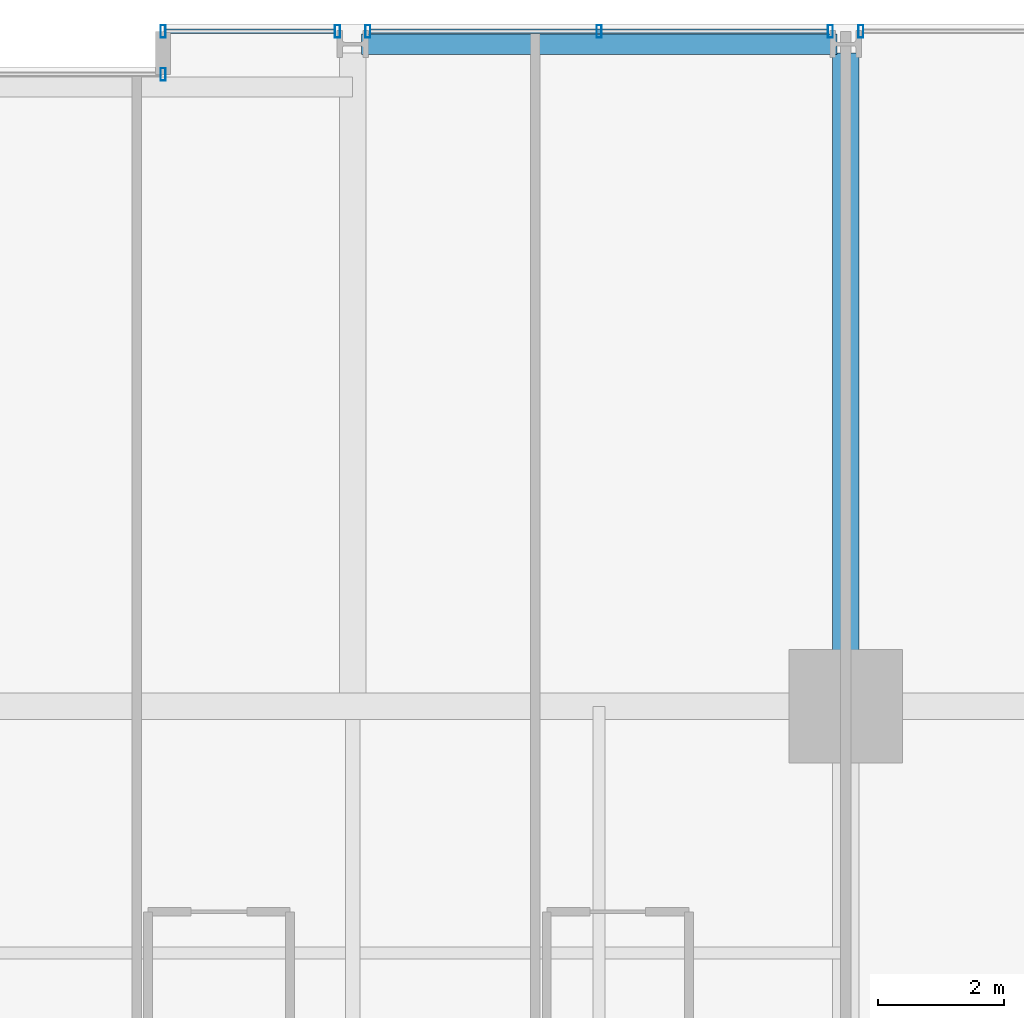
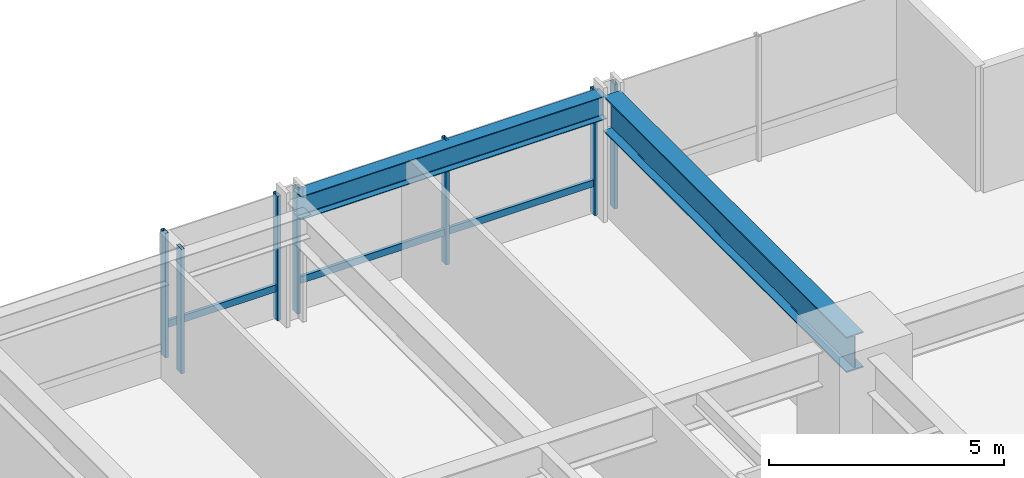
# One storey, part 27 of 39: 9 members, 2 beams, 4 elements without a shape of their own.
"""IFC4 building model written with IfcOpenShell, lengths in metres."""

from ifc_helpers import new_model, si_unit, direction, frame, origin, origin_2d, place, context, subcontext, project, spatial, hollow_rectangle, i_section, extrude, material, layer, layer_set, material_profile, profile_set, type_object, element, aggregate, save


model = new_model("IFC4")

# Units and contexts
model_context = context("Model", 3, precision=1e-05, world=origin(), true_north=direction((0.0, 1.0)))
body_context = subcontext(model_context, "Body", "Model", "MODEL_VIEW")
ifc_project = project(units=[si_unit("LENGTHUNIT", "METRE"), si_unit("AREAUNIT", "SQUARE_METRE"), si_unit("VOLUMEUNIT", "CUBIC_METRE"), si_unit("PLANEANGLEUNIT", "RADIAN"), si_unit("MASSUNIT", "GRAM", prefix="KILO")], contexts=[model_context])

# Site, building, storey
site_placement = place(None, origin())
site = spatial("IfcSite", under=ifc_project, at=site_placement, CompositionType="ELEMENT")
building_placement = place(site_placement, origin())
building = spatial("IfcBuilding", under=site, at=building_placement, Name="Drelvath Grand Hotel", CompositionType="ELEMENT")
storey_placement = place(building_placement, frame((0.0, 0.0, 40.199951171875)))
storey = spatial("IfcBuildingStorey", under=building, at=storey_placement, Name="L08", CompositionType="ELEMENT", Elevation=40.199951171875)

# Curtain wall, member
ifc_material_1 = material(Name="Warm Bronze Anodised Aluminium Frame", Category="aluminium")
ifc_layer = layer(ifc_material_1, 0.199951171875)
ifc_layer_set = layer_set([ifc_layer], Name="Warm Bronze Anodised Aluminium Frame")
curtain_wall_type = type_object("IfcCurtainWallType", Name="Stick Curtain Wall CW-02 Warm Bronze Low-Rise", PredefinedType="NOTDEFINED", material=ifc_layer_set)
curtain_wall_1_placement = place(storey_placement, origin())
curtain_wall_1 = element("IfcCurtainWall", 1, at=curtain_wall_1_placement, inside=storey, type_object=curtain_wall_type, Name="L08 CW-02 Curtain Wall CW02-L08-NE1", PredefinedType="NOTDEFINED")
ifc_material_profile_1 = material_profile(ifc_material_1, hollow_rectangle(XDim=0.074951171875, YDim=0.179931640625, WallThickness=0.0048828125, at=origin_2d()), Name="HSS180X75X5")
ifc_profile_set_1 = profile_set([ifc_material_profile_1], Name="Warm Bronze Anodised Aluminium Frame")
member_type_1 = type_object("IfcMemberType", Name="Curtain Wall Horizontal Transom CW-02 HSS180X75X5", PredefinedType="USERDEFINED", material=ifc_profile_set_1)
member_1_placement = place(storey_placement, frame((5.43994140625, 53.8798828125, 0.81005859375), z_axis=(1.0, 0.0, 0.0), x_axis=(0.0, 1.0, 0.0)))
member_1 = element("IfcMember", 2, at=member_1_placement, type_object=member_type_1, Name="CW02-L08-NE1 Sill Transom", ObjectType="TRANSOM", PredefinedType="USERDEFINED", context=body_context, shape_type="SweptSolid", body=[
    extrude(hollow_rectangle(XDim=0.074951171875, YDim=0.179931640625, WallThickness=0.0048828125, at=origin_2d()), origin(), (0.0, 0.0, 1.0), 2.67919921875),
])

curtain_wall_2_placement = place(storey_placement, origin())
curtain_wall_2 = element("IfcCurtainWall", 3, at=curtain_wall_2_placement, inside=storey, type_object=curtain_wall_type, Name="L08 CW-02 Curtain Wall CW02-L08-NE2", PredefinedType="NOTDEFINED")
member_2_placement = place(storey_placement, frame((8.680908203125, 53.8798828125, 0.81005859375), z_axis=(1.0, 0.0, 0.0), x_axis=(0.0, 1.0, 0.0)))
member_2 = element("IfcMember", 4, at=member_2_placement, type_object=member_type_1, Name="CW02-L08-NE2 Sill Transom", ObjectType="TRANSOM", PredefinedType="USERDEFINED", context=body_context, shape_type="SweptSolid", body=[
    extrude(hollow_rectangle(XDim=0.074951171875, YDim=0.179931640625, WallThickness=0.0048828125, at=origin_2d()), origin(), (0.0, 0.0, 1.0), 7.23828125),
])

curtain_wall_3_placement = place(storey_placement, origin())
curtain_wall_3 = element("IfcCurtainWall", 5, at=curtain_wall_3_placement, inside=storey, type_object=curtain_wall_type, Name="L08 CW-02 Curtain Wall CW02-L08-NM2", PredefinedType="NOTDEFINED")
ifc_material_profile_2 = material_profile(ifc_material_1, hollow_rectangle(XDim=0.080078125, YDim=0.199951171875, WallThickness=0.0048828125, at=origin_2d()), Name="HSS200X80X5")
ifc_profile_set_2 = profile_set([ifc_material_profile_2], Name="Warm Bronze Anodised Aluminium Frame")
member_type_2 = type_object("IfcMemberType", Name="Curtain Wall Vertical Mullion CW-02 HSS200X80X5", PredefinedType="MULLION", material=ifc_profile_set_2)
member_3_placement = place(storey_placement, frame((5.39990234375, 53.199951171875, 0.0), z_axis=(0.0, 0.0, 1.0), x_axis=(1.0, 0.0, 0.0)))
member_3 = element("IfcMember", 6, at=member_3_placement, type_object=member_type_2, Name="CW02-L08-NM2 Mullion 2", PredefinedType="MULLION", context=body_context, shape_type="SweptSolid", body=[
    extrude(hollow_rectangle(XDim=0.080078125, YDim=0.199951171875, WallThickness=0.0048828125, at=origin_2d()), origin(), (0.0, 0.0, 1.0), 3.239990234375),
])
aggregate(curtain_wall_3, [member_3])

# Member
member_4_placement = place(storey_placement, frame((5.39990234375, 53.8798828125, 0.0), z_axis=(0.0, 0.0, 1.0), x_axis=(1.0, 0.0, 0.0)))
member_4 = element("IfcMember", 7, at=member_4_placement, type_object=member_type_2, Name="CW02-L08-NE1 Mullion 1", PredefinedType="MULLION", context=body_context, shape_type="SweptSolid", body=[
    extrude(hollow_rectangle(XDim=0.080078125, YDim=0.199951171875, WallThickness=0.0048828125, at=origin_2d()), origin(), (0.0, 0.0, 1.0), 3.239990234375),
])

member_5_placement = place(storey_placement, frame((8.1591796875, 53.8798828125, 0.0), z_axis=(0.0, 0.0, 1.0), x_axis=(1.0, 0.0, 0.0)))
member_5 = element("IfcMember", 8, at=member_5_placement, type_object=member_type_2, Name="CW02-L08-NE1 Mullion 2", PredefinedType="MULLION", context=body_context, shape_type="SweptSolid", body=[
    extrude(hollow_rectangle(XDim=0.080078125, YDim=0.199951171875, WallThickness=0.0048828125, at=origin_2d()), origin(), (0.0, 0.0, 1.0), 3.239990234375),
])

aggregate(curtain_wall_1, [member_4, member_5, member_1])

member_6_placement = place(storey_placement, frame((8.640869140625, 53.8798828125, 0.0), z_axis=(0.0, 0.0, 1.0), x_axis=(1.0, 0.0, 0.0)))
member_6 = element("IfcMember", 9, at=member_6_placement, type_object=member_type_2, Name="CW02-L08-NE2 Mullion 1", PredefinedType="MULLION", context=body_context, shape_type="SweptSolid", body=[
    extrude(hollow_rectangle(XDim=0.080078125, YDim=0.199951171875, WallThickness=0.0048828125, at=origin_2d()), origin(), (0.0, 0.0, 1.0), 3.239990234375),
])

member_7_placement = place(storey_placement, frame((12.300048828125, 53.8798828125, 0.0), z_axis=(0.0, 0.0, 1.0), x_axis=(1.0, 0.0, 0.0)))
member_7 = element("IfcMember", 10, at=member_7_placement, type_object=member_type_2, Name="CW02-L08-NE2 Mullion 2", PredefinedType="MULLION", context=body_context, shape_type="SweptSolid", body=[
    extrude(hollow_rectangle(XDim=0.080078125, YDim=0.199951171875, WallThickness=0.0048828125, at=origin_2d()), origin(), (0.0, 0.0, 1.0), 3.239990234375),
])

member_8_placement = place(storey_placement, frame((15.958984375, 53.8798828125, 0.0), z_axis=(0.0, 0.0, 1.0), x_axis=(1.0, 0.0, 0.0)))
member_8 = element("IfcMember", 11, at=member_8_placement, type_object=member_type_2, Name="CW02-L08-NE2 Mullion 3", PredefinedType="MULLION", context=body_context, shape_type="SweptSolid", body=[
    extrude(hollow_rectangle(XDim=0.080078125, YDim=0.199951171875, WallThickness=0.0048828125, at=origin_2d()), origin(), (0.0, 0.0, 1.0), 3.239990234375),
])

aggregate(curtain_wall_2, [member_6, member_7, member_8, member_2])

# Curtain wall, member
curtain_wall_4_placement = place(storey_placement, origin())
curtain_wall_4 = element("IfcCurtainWall", 12, at=curtain_wall_4_placement, inside=storey, type_object=curtain_wall_type, Name="L08 CW-02 Curtain Wall CW02-L08-NE3", PredefinedType="NOTDEFINED")
member_9_placement = place(storey_placement, frame((16.44091796875, 53.8798828125, 0.0), z_axis=(0.0, 0.0, 1.0), x_axis=(1.0, 0.0, 0.0)))
member_9 = element("IfcMember", 13, at=member_9_placement, type_object=member_type_2, Name="CW02-L08-NE3 Mullion 1", PredefinedType="MULLION", context=body_context, shape_type="SweptSolid", body=[
    extrude(hollow_rectangle(XDim=0.080078125, YDim=0.199951171875, WallThickness=0.0048828125, at=origin_2d()), origin(), (0.0, 0.0, 1.0), 3.239990234375),
])
aggregate(curtain_wall_4, [member_9])

# Beams
ifc_material_2 = material(Name="Steel ASTM A992 Gr 50", Category="steel")
ifc_material_profile_3 = material_profile(ifc_material_2, i_section(OverallWidth=0.323974609375, OverallDepth=0.611083984375, WebThickness=0.0126953125, FlangeThickness=0.01904296875, FilletRadius=0.02197265625, at=origin_2d()), Name="W24X104")
ifc_profile_set_3 = profile_set([ifc_material_profile_3], Name="Steel ASTM A992 Gr 50")
beam_type_1 = type_object("IfcBeamType", Name="Perimeter Spandrel Beam W24X104", PredefinedType="SPANDREL", material=ifc_profile_set_3)
beam_1_placement = place(storey_placement, frame((8.5400390625, 53.679931640625, 2.9345703125), z_axis=(1.0, 0.0, 0.0), x_axis=(0.0, 1.0, 0.0)))
element("IfcBeam", 14, at=beam_1_placement, inside=storey, type_object=beam_type_1, Name="L08 Spandrel North E", PredefinedType="SPANDREL", context=body_context, shape_type="SweptSolid", body=[
    extrude(i_section(OverallWidth=0.323974609375, OverallDepth=0.611083984375, WebThickness=0.0126953125, FlangeThickness=0.01904296875, FilletRadius=0.02197265625, at=origin_2d()), origin(), (0.0, 0.0, 1.0), 7.52001953125),
])
ifc_material_profile_4 = material_profile(ifc_material_2, i_section(OverallWidth=0.418212890625, OverallDepth=0.926513671875, WebThickness=0.019287109375, FlangeThickness=0.031982421875, FilletRadius=0.028076171875, at=origin_2d()), Name="W36X231")
ifc_profile_set_4 = profile_set([ifc_material_profile_4], Name="Steel ASTM A992 Gr 50")
beam_type_2 = type_object("IfcBeamType", Name="Primary Floor Girder W36X231", PredefinedType="BEAM", material=ifc_profile_set_4)
beam_2_placement = place(storey_placement, frame((16.199951171875, 43.199951171875, 2.77685546875), z_axis=(0.0, 1.0, 0.0), x_axis=(-1.0, 0.0, 0.0)))
element("IfcBeam", 15, at=beam_2_placement, inside=storey, type_object=beam_type_2, Name="L08 North Grid Girder 7", PredefinedType="BEAM", context=body_context, shape_type="SweptSolid", body=[
    extrude(i_section(OverallWidth=0.418212890625, OverallDepth=0.926513671875, WebThickness=0.019287109375, FlangeThickness=0.031982421875, FilletRadius=0.028076171875, at=origin_2d()), origin(), (0.0, 0.0, 1.0), 10.340087890625),
])

save(model, "model.ifc")
